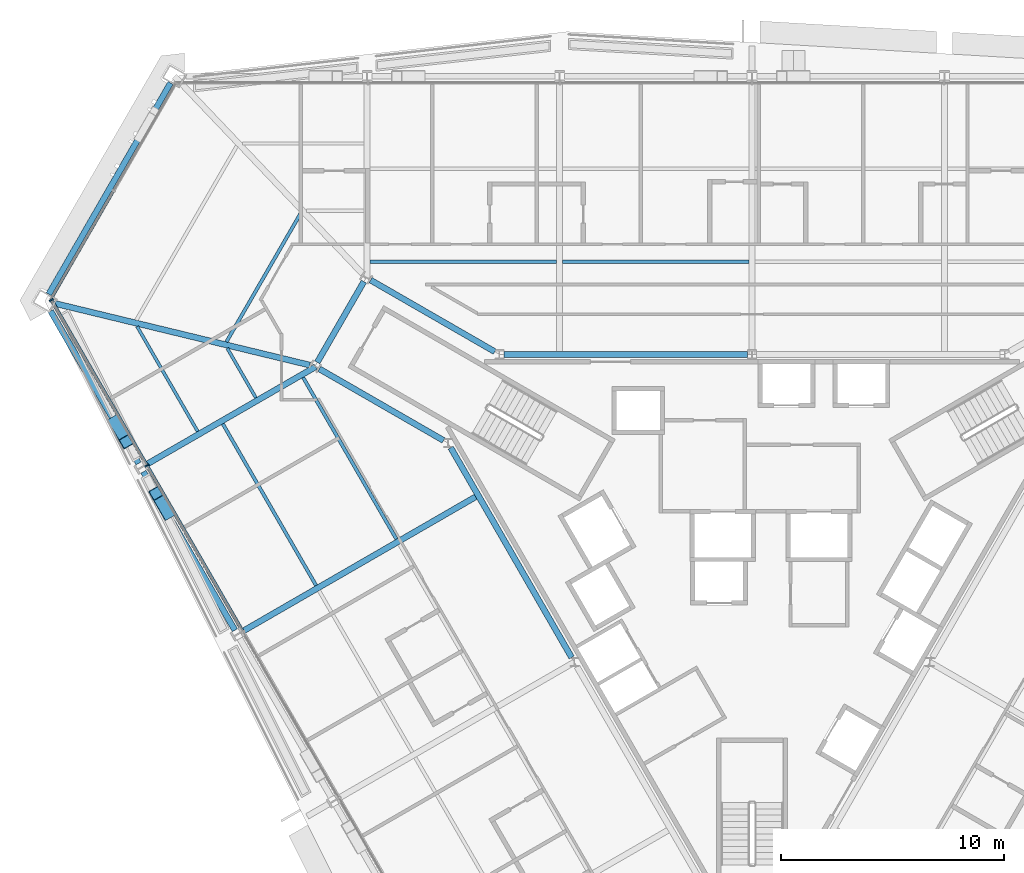
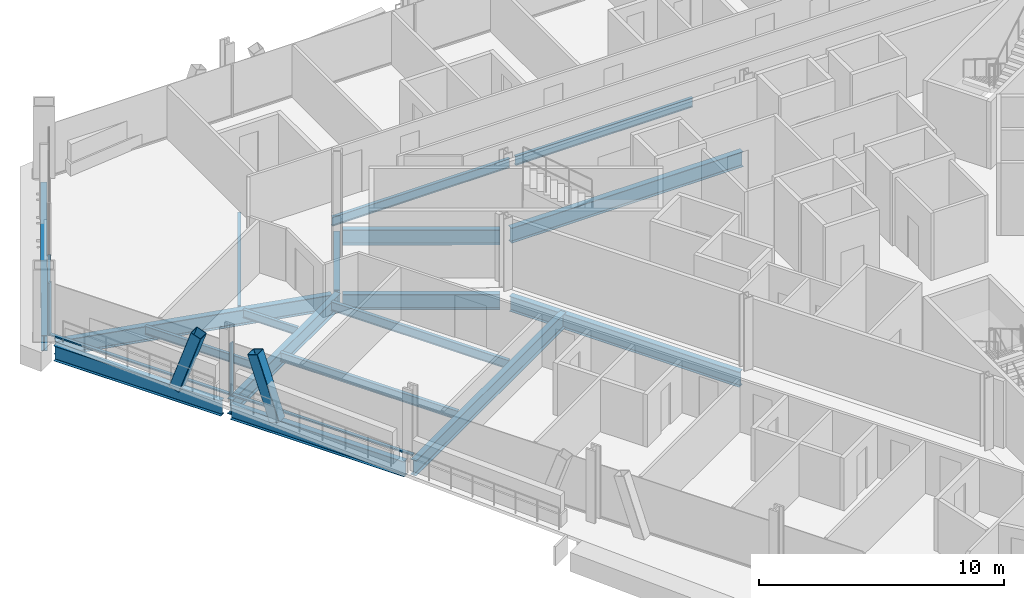
# One storey, part 7 of 18: 18 beams, 7 members, 2 elements without a shape of their own.
"""IFC4 building model written with IfcOpenShell, lengths in metres."""

from ifc_helpers import new_model, si_unit, direction, frame, origin, origin_2d, place, context, subcontext, project, spatial, rectangle, hollow_rectangle, i_section, extrude, material, material_profile, profile_set, type_object, element, aggregate, save


model = new_model("IFC4")

# Units and contexts
model_context = context("Model", 3, precision=1e-05, world=origin(), true_north=direction((0.0, 1.0)))
body_context = subcontext(model_context, "Body", "Model", "MODEL_VIEW")
ifc_project = project(units=[si_unit("LENGTHUNIT", "METRE"), si_unit("AREAUNIT", "SQUARE_METRE"), si_unit("VOLUMEUNIT", "CUBIC_METRE"), si_unit("PLANEANGLEUNIT", "RADIAN"), si_unit("MASSUNIT", "GRAM", prefix="KILO")], contexts=[model_context])

# Site, building, storey
site_placement = place(None, origin())
site = spatial("IfcSite", under=ifc_project, at=site_placement, CompositionType="ELEMENT")
building_placement = place(site_placement, origin())
building = spatial("IfcBuilding", under=site, at=building_placement, Name="Verrane Prism Tower", CompositionType="ELEMENT")
storey_placement = place(building_placement, frame((0.0, 0.0, 80.0)))
storey = spatial("IfcBuildingStorey", under=building, at=storey_placement, Name="L18", CompositionType="ELEMENT", Elevation=80.0)

# Beams
ifc_material_1 = material(Name="Steel A992", Category="steel")
ifc_material_profile_1 = material_profile(ifc_material_1, i_section(OverallWidth=0.2666015625, OverallDepth=0.76708984375, WebThickness=0.014892578125, FlangeThickness=0.023681640625, FilletRadius=0.0166015625, at=origin_2d()), Name="W30x124")
ifc_profile_set_1 = profile_set([ifc_material_profile_1], Name="Steel A992")
beam_type_1 = type_object("IfcBeamType", Name="Chamfer spandrel beam W30x124", PredefinedType="SPANDREL", material=ifc_profile_set_1)
beam_1_placement = place(storey_placement, frame((-26.07470703125, 21.36669921875, -0.54345703125), z_axis=(-0.499381576475, -0.866382156486, 0.0), x_axis=(0.866382156486, -0.499381576475, 0.0)))
element("IfcBeam", 1, at=beam_1_placement, inside=storey, type_object=beam_type_1, Name="Chamfer spandrel beam L18", PredefinedType="SPANDREL", context=body_context, shape_type="SweptSolid", body=[
    extrude(i_section(OverallWidth=0.2666015625, OverallDepth=0.76708984375, WebThickness=0.014892578125, FlangeThickness=0.023681640625, FilletRadius=0.0166015625, at=origin_2d()), origin(), (0.0, 0.0, 1.0), 10.934326171875),
])
ifc_material_2 = material(Name="Steel A992", Category="steel")
ifc_material_profile_2 = material_profile(ifc_material_2, i_section(OverallWidth=0.2666015625, OverallDepth=0.7568359375, WebThickness=0.013916015625, FlangeThickness=0.019287109375, FilletRadius=0.0166015625, at=origin_2d()), Name="W30x108")
ifc_profile_set_2 = profile_set([ifc_material_profile_2], Name="Steel A992")
beam_type_2 = type_object("IfcBeamType", Name="Core ring girder W30x108", PredefinedType="BEAM", material=ifc_profile_set_2)
beam_2_placement = place(storey_placement, frame((-0.203125, 9.199951171875, -0.62841796875), z_axis=(-1.0, 0.0, 0.0), x_axis=(0.0, -1.0, 0.0)))
element("IfcBeam", 2, at=beam_2_placement, inside=storey, type_object=beam_type_2, Name="Core ring girder L18", PredefinedType="BEAM", context=body_context, shape_type="SweptSolid", body=[
    extrude(i_section(OverallWidth=0.2666015625, OverallDepth=0.7568359375, WebThickness=0.013916015625, FlangeThickness=0.019287109375, FilletRadius=0.0166015625, at=origin_2d()), origin(), (0.0, 0.0, 1.0), 10.923583984375),
])
beam_3_placement = place(storey_placement, frame((-11.533203125, 9.317138671875, -0.62841796875), z_axis=(-0.866447229751, 0.499268663203, 0.0), x_axis=(-0.499268663203, -0.866447229751, 0.0)))
element("IfcBeam", 3, at=beam_3_placement, inside=storey, type_object=beam_type_2, Name="Core ring girder L18", PredefinedType="BEAM", context=body_context, shape_type="SweptSolid", body=[
    extrude(i_section(OverallWidth=0.2666015625, OverallDepth=0.7568359375, WebThickness=0.013916015625, FlangeThickness=0.019287109375, FilletRadius=0.0166015625, at=origin_2d()), origin(), (0.0, 0.0, 1.0), 6.428466796875),
])
beam_4_placement = place(storey_placement, frame((-17.40478515625, 12.45849609375, -0.62841796875), z_axis=(-0.500349643494, -0.865823442888, 0.0), x_axis=(0.865823442888, -0.500349643494, 0.0)))
element("IfcBeam", 4, at=beam_4_placement, inside=storey, type_object=beam_type_2, Name="Core ring girder L18", PredefinedType="BEAM", context=body_context, shape_type="SweptSolid", body=[
    extrude(i_section(OverallWidth=0.2666015625, OverallDepth=0.7568359375, WebThickness=0.013916015625, FlangeThickness=0.019287109375, FilletRadius=0.0166015625, at=origin_2d()), origin(), (0.0, 0.0, 1.0), 4.177734375),
])
beam_5_placement = place(storey_placement, frame((-19.403076171875, 8.54638671875, -0.62841796875), z_axis=(0.86646365882, -0.499240150574, 0.0), x_axis=(0.499240150574, 0.86646365882, 0.0)))
element("IfcBeam", 5, at=beam_5_placement, inside=storey, type_object=beam_type_2, Name="Core ring girder L18", PredefinedType="BEAM", context=body_context, shape_type="SweptSolid", body=[
    extrude(i_section(OverallWidth=0.2666015625, OverallDepth=0.7568359375, WebThickness=0.013916015625, FlangeThickness=0.019287109375, FilletRadius=0.0166015625, at=origin_2d()), origin(), (0.0, 0.0, 1.0), 6.42822265625),
])
beam_6_placement = place(storey_placement, frame((-13.510009765625, 5.01171875, -0.62841796875), z_axis=(0.499371892062, -0.866387738498, 0.0), x_axis=(0.866387738498, 0.499371892062, 0.0)))
element("IfcBeam", 6, at=beam_6_placement, inside=storey, type_object=beam_type_2, Name="Core ring girder L18", PredefinedType="BEAM", context=body_context, shape_type="SweptSolid", body=[
    extrude(i_section(OverallWidth=0.2666015625, OverallDepth=0.7568359375, WebThickness=0.013916015625, FlangeThickness=0.019287109375, FilletRadius=0.0166015625, at=origin_2d()), origin(), (0.0, 0.0, 1.0), 10.853515625),
])
ifc_material_3 = material(Name="Steel A992", Category="steel")
ifc_material_profile_3 = material_profile(ifc_material_3, i_section(OverallWidth=0.2666015625, OverallDepth=0.76708984375, WebThickness=0.014892578125, FlangeThickness=0.023681640625, FilletRadius=0.0166015625, at=origin_2d()), Name="W30x124")
ifc_profile_set_3 = profile_set([ifc_material_profile_3], Name="Steel A992")
beam_type_3 = type_object("IfcBeamType", Name="Corner girder W30x124", PredefinedType="BEAM", material=ifc_profile_set_3)
beam_7_placement = place(storey_placement, frame((-31.254150390625, 11.479736328125, -0.603515625), z_axis=(0.9719570894, -0.235158279388, 0.0), x_axis=(0.235158279388, 0.9719570894, 0.0)))
element("IfcBeam", 7, at=beam_7_placement, inside=storey, type_object=beam_type_3, Name="Corner girder L18", PredefinedType="BEAM", context=body_context, shape_type="SweptSolid", body=[
    extrude(i_section(OverallWidth=0.2666015625, OverallDepth=0.76708984375, WebThickness=0.014892578125, FlangeThickness=0.023681640625, FilletRadius=0.0166015625, at=origin_2d()), origin(), (0.0, 0.0, 1.0), 11.75341796875),
])

# Members
ifc_material_4 = material(Name="Steel A1085 Grade A", Category="steel")
ifc_material_profile_4 = material_profile(ifc_material_4, hollow_rectangle(XDim=0.508056640625, YDim=0.508056640625, WallThickness=0.025390625, InnerFilletRadius=0.0126953125, OuterFilletRadius=0.0380859375, at=origin_2d()), Name="HSS20x20x1")
ifc_profile_set_4 = profile_set([ifc_material_profile_4], Name="Steel A1085 Grade A")
member_type_1 = type_object("IfcMemberType", Name="Facade brace HSS20x20x1", PredefinedType="BRACE", material=ifc_profile_set_4)
member_1_placement = place(storey_placement, frame((-28.580810546875, 6.16650390625, -0.24267578125), z_axis=(0.161786047695, -0.280418911334, 0.946145078166), x_axis=(0.866177688749, 0.499736141893, 0.0)))
element("IfcMember", 8, at=member_1_placement, inside=storey, type_object=member_type_1, Name="Facade brace SW0 L18", PredefinedType="BRACE", context=body_context, shape_type="SweptSolid", body=[
    extrude(hollow_rectangle(XDim=0.508056640625, YDim=0.508056640625, WallThickness=0.025390625, InnerFilletRadius=0.0126953125, OuterFilletRadius=0.0380859375, at=origin_2d()), origin(), (0.0, 0.0, 1.0), 3.179443359375),
])
member_2_placement = place(storey_placement, frame((-26.21630859375, 2.07080078125, -0.24267578125), z_axis=(-0.162217175995, 0.28075163872, 0.945972571044), x_axis=(-0.86585823575, -0.500289431813, 0.0)))
element("IfcMember", 9, at=member_2_placement, inside=storey, type_object=member_type_1, Name="Facade brace SW1 L18", PredefinedType="BRACE", context=body_context, shape_type="SweptSolid", body=[
    extrude(hollow_rectangle(XDim=0.508056640625, YDim=0.508056640625, WallThickness=0.025390625, InnerFilletRadius=0.0126953125, OuterFilletRadius=0.0380859375, at=origin_2d()), origin(), (0.0, 0.0, 1.0), 3.18017578125),
])

# Beams
ifc_material_5 = material(Name="Steel A992", Category="steel")
ifc_material_profile_5 = material_profile(ifc_material_5, i_section(OverallWidth=0.140380859375, OverallDepth=0.40380859375, WebThickness=0.007080078125, FlangeThickness=0.01123046875, FilletRadius=0.01025390625, at=origin_2d()), Name="W16x31")
ifc_profile_set_5 = profile_set([ifc_material_profile_5], Name="Steel A992")
beam_type_4 = type_object("IfcBeamType", Name="Floor beam W16x31", PredefinedType="BEAM", material=ifc_profile_set_5)
beam_8_placement = place(storey_placement, frame((-22.246826171875, 7.248779296875, -0.36181640625), z_axis=(-0.499930841935, 0.86606532853, 0.0), x_axis=(-0.86606532853, -0.499930841935, 0.0)))
element("IfcBeam", 10, at=beam_8_placement, inside=storey, type_object=beam_type_4, Name="Floor beam L18", PredefinedType="BEAM", context=body_context, shape_type="SweptSolid", body=[
    extrude(i_section(OverallWidth=0.140380859375, OverallDepth=0.40380859375, WebThickness=0.007080078125, FlangeThickness=0.01123046875, FilletRadius=0.01025390625, at=origin_2d()), origin(), (0.0, 0.0, 1.0), 2.569091796875),
])
beam_9_placement = place(storey_placement, frame((-24.856689453125, 5.7421875, -0.36181640625), z_axis=(-0.500006102154, 0.866021880676, 0.0), x_axis=(-0.866021880676, -0.500006102154, 0.0)))
element("IfcBeam", 11, at=beam_9_placement, inside=storey, type_object=beam_type_4, Name="Floor beam L18", PredefinedType="BEAM", context=body_context, shape_type="SweptSolid", body=[
    extrude(i_section(OverallWidth=0.140380859375, OverallDepth=0.40380859375, WebThickness=0.007080078125, FlangeThickness=0.01123046875, FilletRadius=0.01025390625, at=origin_2d()), origin(), (0.0, 0.0, 1.0), 5.43896484375),
])
ifc_material_6 = material(Name="Steel A992", Category="steel")
ifc_material_profile_6 = material_profile(ifc_material_6, i_section(OverallWidth=0.15234375, OverallDepth=0.449462890625, WebThickness=0.007568359375, FlangeThickness=0.0107421875, FilletRadius=0.01025390625, at=origin_2d()), Name="W18x35")
ifc_profile_set_6 = profile_set([ifc_material_profile_6], Name="Steel A992")
beam_type_5 = type_object("IfcBeamType", Name="Floor beam W18x35", PredefinedType="BEAM", material=ifc_profile_set_6)
for number, where, z_axis, x_axis, name in (
    (12, (-8.49658203125, 13.356689453125, -0.384765625), (1.0, 0.0, 0.0), (0.0, 1.0, 0.0), "Floor beam L18"),
    (13, (-17.12646484375, 13.356689453125, -0.384765625), (1.0, 0.0, 0.0), (0.0, 1.0, 0.0), "Floor beam L18"),
):
    element("IfcBeam", number, at=place(storey_placement, frame(where, z_axis=z_axis, x_axis=x_axis)), inside=storey, type_object=beam_type_5, Name=name, PredefinedType="BEAM", context=body_context, shape_type="SweptSolid", body=[
        extrude(i_section(OverallWidth=0.15234375, OverallDepth=0.449462890625, WebThickness=0.007568359375, FlangeThickness=0.0107421875, FilletRadius=0.01025390625, at=origin_2d()), origin(), (0.0, 0.0, 1.0), 8.363037109375),
    ])
beam_10_placement = place(storey_placement, frame((-15.946533203125, 0.915771484375, -0.384765625), z_axis=(-0.500001954328, 0.866024275449, 0.0), x_axis=(-0.866024275449, -0.500001954328, 0.0)))
element("IfcBeam", 14, at=beam_10_placement, inside=storey, type_object=beam_type_5, Name="Floor beam L18", PredefinedType="BEAM", context=body_context, shape_type="SweptSolid", body=[
    extrude(i_section(OverallWidth=0.15234375, OverallDepth=0.449462890625, WebThickness=0.007568359375, FlangeThickness=0.0107421875, FilletRadius=0.01025390625, at=origin_2d()), origin(), (0.0, 0.0, 1.0), 8.36767578125),
])
beam_11_placement = place(storey_placement, frame((-19.547119140625, -1.164794921875, -0.384765625), z_axis=(-0.499979169146, 0.86603743015, 0.0), x_axis=(-0.86603743015, -0.499979169146, 0.0)))
element("IfcBeam", 15, at=beam_11_placement, inside=storey, type_object=beam_type_5, Name="Floor beam L18", PredefinedType="BEAM", context=body_context, shape_type="SweptSolid", body=[
    extrude(i_section(OverallWidth=0.15234375, OverallDepth=0.449462890625, WebThickness=0.007568359375, FlangeThickness=0.0107421875, FilletRadius=0.01025390625, at=origin_2d()), origin(), (0.0, 0.0, 1.0), 8.369384765625),
])
beam_12_placement = place(storey_placement, frame((-23.568603515625, 9.757568359375, -0.384765625), z_axis=(0.500007828009, 0.866020884234, 0.0), x_axis=(-0.866020884234, 0.500007828009, 0.0)))
element("IfcBeam", 16, at=beam_12_placement, inside=storey, type_object=beam_type_5, Name="Floor beam L18", PredefinedType="BEAM", context=body_context, shape_type="SweptSolid", body=[
    extrude(i_section(OverallWidth=0.15234375, OverallDepth=0.449462890625, WebThickness=0.007568359375, FlangeThickness=0.0107421875, FilletRadius=0.01025390625, at=origin_2d()), origin(), (0.0, 0.0, 1.0), 6.6650390625),
])

# Curtain wall, members
ifc_material_7 = material(Name="Aluminium framed insulated glazing", Category="aluminium")
curtain_wall_type_1 = type_object("IfcCurtainWallType", Name="Curtain wall CW-A 8400 module", PredefinedType="NOTDEFINED", material=ifc_material_7)
curtain_wall_1_placement = place(storey_placement, origin())
curtain_wall_1 = element("IfcCurtainWall", 17, at=curtain_wall_1_placement, inside=storey, type_object=curtain_wall_type_1, Name="Glazed curtain wall south-west face L18", PredefinedType="NOTDEFINED")
ifc_material_8 = material(Name="Aluminium alloy 6063-T6", Category="aluminium")
ifc_material_profile_7 = material_profile(ifc_material_8, rectangle(XDim=0.199951171875, YDim=0.070068359375, at=origin_2d()), Name="Mullion 70x200 aluminium")
ifc_profile_set_7 = profile_set([ifc_material_profile_7], Name="Aluminium alloy 6063-T6")
member_type_2 = type_object("IfcMemberType", Name="Mullion 70x200 aluminium", PredefinedType="MULLION", material=ifc_profile_set_7)
member_3_placement = place(storey_placement, frame((-31.418701171875, 11.63720703125, 0.0), z_axis=(0.0, 0.0, 1.0), x_axis=(0.866025845387, 0.499999235121, 0.0)))
member_3 = element("IfcMember", 18, at=member_3_placement, type_object=member_type_2, Name="CW17.4 mullion 1", PredefinedType="MULLION", context=body_context, shape_type="SweptSolid", body=[
    extrude(rectangle(XDim=0.199951171875, YDim=0.070068359375, at=origin_2d()), origin(), (0.0, 0.0, 1.0), 2.61279296875),
])
member_4_placement = place(storey_placement, frame((-27.132568359375, 4.213134765625, 0.0), z_axis=(0.0, 0.0, 1.0), x_axis=(0.866025845387, 0.499999235121, 0.0)))
member_4 = element("IfcMember", 19, at=member_4_placement, type_object=member_type_2, Name="CW17.4 mullion 2", PredefinedType="MULLION", context=body_context, shape_type="SweptSolid", body=[
    extrude(rectangle(XDim=0.199951171875, YDim=0.070068359375, at=origin_2d()), origin(), (0.0, 0.0, 1.0), 2.61279296875),
])

# Beams
ifc_material_9 = material(Name="Steel A992", Category="steel")
ifc_material_profile_8 = material_profile(ifc_material_9, i_section(OverallWidth=0.2666015625, OverallDepth=0.76708984375, WebThickness=0.014892578125, FlangeThickness=0.023681640625, FilletRadius=0.0166015625, at=origin_2d()), Name="W30x124")
ifc_profile_set_8 = profile_set([ifc_material_profile_8], Name="Steel A992")
beam_type_6 = type_object("IfcBeamType", Name="Radial girder W30x124", PredefinedType="BEAM", material=ifc_profile_set_8)
beam_13_placement = place(storey_placement, frame((-27.184326171875, 4.244384765625, -0.603515625), z_axis=(0.866025632151, 0.499999604458, 0.0), x_axis=(-0.499999604458, 0.866025632151, 0.0)))
element("IfcBeam", 20, at=beam_13_placement, inside=storey, type_object=beam_type_6, Name="Radial girder L18", PredefinedType="BEAM", context=body_context, shape_type="SweptSolid", body=[
    extrude(i_section(OverallWidth=0.2666015625, OverallDepth=0.76708984375, WebThickness=0.014892578125, FlangeThickness=0.023681640625, FilletRadius=0.0166015625, at=origin_2d()), origin(), (0.0, 0.0, 1.0), 8.79443359375),
])
beam_14_placement = place(storey_placement, frame((-22.864501953125, -3.235595703125, -0.603515625), z_axis=(0.866023267252, 0.500003700565, 0.0), x_axis=(-0.500003700565, 0.866023267252, 0.0)))
element("IfcBeam", 21, at=beam_14_placement, inside=storey, type_object=beam_type_6, Name="Radial girder L18", PredefinedType="BEAM", context=body_context, shape_type="SweptSolid", body=[
    extrude(i_section(OverallWidth=0.2666015625, OverallDepth=0.76708984375, WebThickness=0.014892578125, FlangeThickness=0.023681640625, FilletRadius=0.0166015625, at=origin_2d()), origin(), (0.0, 0.0, 1.0), 12.22314453125),
])
ifc_material_10 = material(Name="Steel A992", Category="steel")
ifc_material_profile_9 = material_profile(ifc_material_10, i_section(OverallWidth=0.2666015625, OverallDepth=0.7568359375, WebThickness=0.013916015625, FlangeThickness=0.019287109375, FilletRadius=0.0166015625, at=origin_2d()), Name="W30x108")
ifc_profile_set_9 = profile_set([ifc_material_profile_9], Name="Steel A992")
beam_type_7 = type_object("IfcBeamType", Name="Spandrel beam W30x108", PredefinedType="SPANDREL", material=ifc_profile_set_9)
beam_15_placement = place(storey_placement, frame((-31.4501953125, 11.139892578125, -0.53857421875), z_axis=(0.499747458948, -0.866171159341, 0.0), x_axis=(0.866171159341, 0.499747458948, 0.0)))
element("IfcBeam", 22, at=beam_15_placement, inside=storey, type_object=beam_type_7, Name="Spandrel beam L18", PredefinedType="SPANDREL", context=body_context, shape_type="SweptSolid", body=[
    extrude(i_section(OverallWidth=0.2666015625, OverallDepth=0.7568359375, WebThickness=0.013916015625, FlangeThickness=0.019287109375, FilletRadius=0.0166015625, at=origin_2d()), origin(), (0.0, 0.0, 1.0), 7.888671875),
])
beam_16_placement = place(storey_placement, frame((-27.2919921875, 3.93310546875, -0.53857421875), z_axis=(0.50011302801, -0.865960137197, 0.0), x_axis=(0.865960137197, 0.50011302801, 0.0)))
element("IfcBeam", 23, at=beam_16_placement, inside=storey, type_object=beam_type_7, Name="Spandrel beam L18", PredefinedType="SPANDREL", context=body_context, shape_type="SweptSolid", body=[
    extrude(i_section(OverallWidth=0.2666015625, OverallDepth=0.7568359375, WebThickness=0.013916015625, FlangeThickness=0.019287109375, FilletRadius=0.0166015625, at=origin_2d()), origin(), (0.0, 0.0, 1.0), 8.2060546875),
])

# Curtain wall, member
ifc_material_11 = material(Name="Aluminium framed insulated glazing", Category="aluminium")
curtain_wall_type_2 = type_object("IfcCurtainWallType", Name="Curtain wall CW-B 5600 module", PredefinedType="NOTDEFINED", material=ifc_material_11)
curtain_wall_2_placement = place(storey_placement, origin())
curtain_wall_2 = element("IfcCurtainWall", 24, at=curtain_wall_2_placement, inside=storey, type_object=curtain_wall_type_2, Name="Glazed curtain wall north-west corner L18", PredefinedType="NOTDEFINED")
ifc_material_12 = material(Name="Aluminium alloy 6063-T6", Category="aluminium")
ifc_material_profile_10 = material_profile(ifc_material_12, rectangle(XDim=0.1201171875, YDim=0.06005859375, at=origin_2d()), Name="Transom 60x120 aluminium")
ifc_profile_set_10 = profile_set([ifc_material_profile_10], Name="Aluminium alloy 6063-T6")
member_type_3 = type_object("IfcMemberType", Name="Transom 60x120 aluminium", PredefinedType="USERDEFINED", material=ifc_profile_set_10)
member_5_placement = place(storey_placement, frame((-28.644287109375, 16.503173828125, 0.030029296875), z_axis=(-0.500013878146, -0.866017391085, 0.0), x_axis=(0.866017391085, -0.500013878146, 0.0)))
member_5 = element("IfcMember", 25, at=member_5_placement, type_object=member_type_3, Name="CW17.3 transom 2", ObjectType="TRANSOM", PredefinedType="USERDEFINED", context=body_context, shape_type="SweptSolid", body=[
    extrude(rectangle(XDim=0.1201171875, YDim=0.06005859375, at=origin_2d()), origin(), (0.0, 0.0, 1.0), 5.583740234375),
])
aggregate(curtain_wall_2, [member_5])

# Member
ifc_material_13 = material(Name="Aluminium alloy 6063-T6", Category="aluminium")
ifc_material_profile_11 = material_profile(ifc_material_13, rectangle(XDim=0.14990234375, YDim=0.070068359375, at=origin_2d()), Name="Transom 70x150 aluminium")
ifc_profile_set_11 = profile_set([ifc_material_profile_11], Name="Aluminium alloy 6063-T6")
member_type_4 = type_object("IfcMemberType", Name="Transom 70x150 aluminium", PredefinedType="USERDEFINED", material=ifc_profile_set_11)
member_6_placement = place(storey_placement, frame((-31.4013671875, 11.606689453125, 0.034912109375), z_axis=(0.500002495586, -0.866023962952, 0.0), x_axis=(0.866023962952, 0.500002495586, 0.0)))
member_6 = element("IfcMember", 26, at=member_6_placement, type_object=member_type_4, Name="CW17.4 transom 1", ObjectType="TRANSOM", PredefinedType="USERDEFINED", context=body_context, shape_type="SweptSolid", body=[
    extrude(rectangle(XDim=0.14990234375, YDim=0.070068359375, at=origin_2d()), origin(), (0.0, 0.0, 1.0), 8.50244140625),
])

member_7_placement = place(storey_placement, frame((-27.114990234375, 4.182861328125, 0.034912109375), z_axis=(0.499977418008, -0.866038441111, 0.0), x_axis=(0.866038441111, 0.499977418008, 0.0)))
member_7 = element("IfcMember", 27, at=member_7_placement, type_object=member_type_4, Name="CW17.4 transom 2", ObjectType="TRANSOM", PredefinedType="USERDEFINED", context=body_context, shape_type="SweptSolid", body=[
    extrude(rectangle(XDim=0.14990234375, YDim=0.070068359375, at=origin_2d()), origin(), (0.0, 0.0, 1.0), 8.53759765625),
])

aggregate(curtain_wall_1, [member_3, member_4, member_6, member_7])

save(model, "model.ifc")
